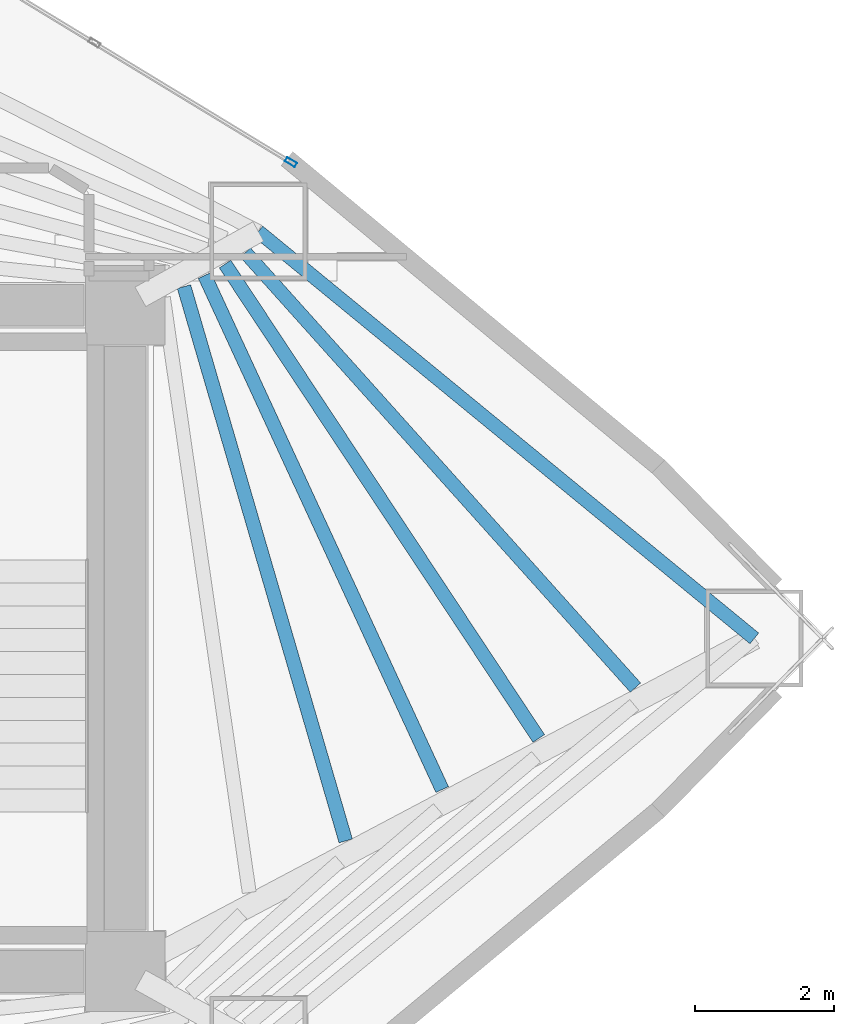
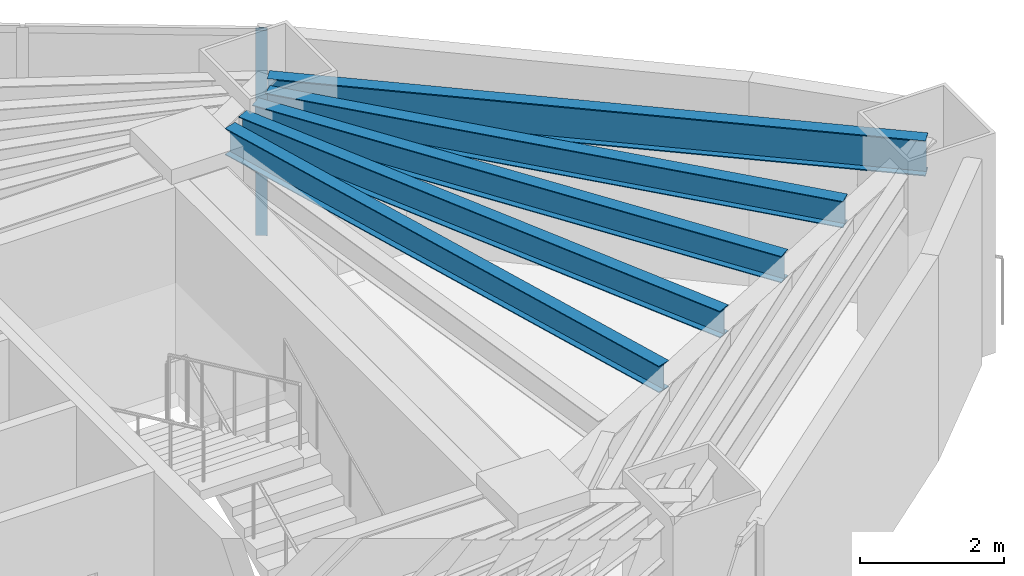
# One storey, part 11 of 17: 5 beams, 1 member, 1 element without a shape of its own.
"""IFC4 building model written with IfcOpenShell, lengths in metres."""

from ifc_helpers import new_model, si_unit, direction, frame, origin, origin_2d, place, context, subcontext, project, spatial, hollow_rectangle, i_section, extrude, material, layer, layer_set, material_profile, profile_set, type_object, element, aggregate, save


model = new_model("IFC4")

# Units and contexts
model_context = context("Model", 3, precision=1e-05, world=origin(), true_north=direction((0.0, 1.0)))
body_context = subcontext(model_context, "Body", "Model", "MODEL_VIEW")
ifc_project = project(units=[si_unit("LENGTHUNIT", "METRE"), si_unit("AREAUNIT", "SQUARE_METRE"), si_unit("VOLUMEUNIT", "CUBIC_METRE"), si_unit("PLANEANGLEUNIT", "RADIAN"), si_unit("MASSUNIT", "GRAM", prefix="KILO")], contexts=[model_context])

# Site, building, storey
site_placement = place(None, origin())
site = spatial("IfcSite", under=ifc_project, at=site_placement, CompositionType="ELEMENT")
building_placement = place(site_placement, origin())
building = spatial("IfcBuilding", under=site, at=building_placement, Name="Menara Vayukalpa", CompositionType="ELEMENT")
storey_placement = place(building_placement, frame((0.0, 0.0, 38.760009765625)))
storey = spatial("IfcBuildingStorey", under=building, at=storey_placement, Name="L08", CompositionType="ELEMENT", Elevation=38.760009765625)

# Beams
ifc_material_1 = material(Name="Steel S355", Category="steel")
ifc_material_profile_1 = material_profile(ifc_material_1, i_section(OverallWidth=0.199951171875, OverallDepth=0.449951171875, WebThickness=0.009033203125, FlangeThickness=0.013916015625, at=origin_2d()), Name="WF 450x200x9x14")
ifc_profile_set_1 = profile_set([ifc_material_profile_1], Name="Steel S355")
beam_type_1 = type_object("IfcBeamType", Name="BM-SJ1", PredefinedType="JOIST", material=ifc_profile_set_1)
beam_1_placement = place(storey_placement, frame((36.577392578125, 19.08203125, 3.244873046875), z_axis=(-0.280127331343, 0.959962852528, 0.0), x_axis=(-0.959962852528, -0.280127331343, 0.0)))
element("IfcBeam", 1, at=beam_1_placement, inside=storey, type_object=beam_type_1, Name="L08 Secondary Floor Joist SJ01-2", PredefinedType="JOIST", context=body_context, shape_type="SweptSolid", body=[
    extrude(i_section(OverallWidth=0.199951171875, OverallDepth=0.449951171875, WebThickness=0.009033203125, FlangeThickness=0.013916015625, at=origin_2d()), origin(), (0.0, 0.0, 1.0), 8.319580078125),
])
beam_2_placement = place(storey_placement, frame((37.96728515625, 19.822021484375, 3.244873046875), z_axis=(-0.419547647921, 0.907733314979, 0.0), x_axis=(-0.907733314979, -0.419547647921, 0.0)))
element("IfcBeam", 2, at=beam_2_placement, inside=storey, type_object=beam_type_1, Name="L08 Secondary Floor Joist SJ01-3", PredefinedType="JOIST", context=body_context, shape_type="SweptSolid", body=[
    extrude(i_section(OverallWidth=0.199951171875, OverallDepth=0.449951171875, WebThickness=0.009033203125, FlangeThickness=0.013916015625, at=origin_2d()), origin(), (0.0, 0.0, 1.0), 8.15966796875),
])
beam_3_placement = place(storey_placement, frame((39.358642578125, 20.557861328125, 3.244873046875), z_axis=(-0.551519467329, 0.834162020927, 0.0), x_axis=(-0.834162020927, -0.551519467329, 0.0)))
element("IfcBeam", 3, at=beam_3_placement, inside=storey, type_object=beam_type_1, Name="L08 Secondary Floor Joist SJ01-4", PredefinedType="JOIST", context=body_context, shape_type="SweptSolid", body=[
    extrude(i_section(OverallWidth=0.199951171875, OverallDepth=0.449951171875, WebThickness=0.009033203125, FlangeThickness=0.013916015625, at=origin_2d()), origin(), (0.0, 0.0, 1.0), 8.19384765625),
])
beam_4_placement = place(storey_placement, frame((40.752685546875, 21.291015625, 3.244873046875), z_axis=(-0.667563308959, 0.744553039435, 0.0), x_axis=(-0.744553039435, -0.667563308959, 0.0)))
element("IfcBeam", 4, at=beam_4_placement, inside=storey, type_object=beam_type_1, Name="L08 Secondary Floor Joist SJ01-5", PredefinedType="JOIST", context=body_context, shape_type="SweptSolid", body=[
    extrude(i_section(OverallWidth=0.199951171875, OverallDepth=0.449951171875, WebThickness=0.009033203125, FlangeThickness=0.013916015625, at=origin_2d()), origin(), (0.0, 0.0, 1.0), 8.419189453125),
])
ifc_material_2 = material(Name="Steel S355", Category="steel")
ifc_material_profile_2 = material_profile(ifc_material_2, i_section(OverallWidth=0.199951171875, OverallDepth=0.60009765625, WebThickness=0.010986328125, FlangeThickness=0.01708984375, at=origin_2d()), Name="WF 600x200x11x17")
ifc_profile_set_2 = profile_set([ifc_material_profile_2], Name="Steel S355")
beam_type_2 = type_object("IfcBeamType", Name="BM-SP1", PredefinedType="SPANDREL", material=ifc_profile_set_2)
beam_5_placement = place(storey_placement, frame((42.46484375, 22.0, 3.169921875), z_axis=(-0.773110561587, 0.63427128231, 0.0), x_axis=(-0.63427128231, -0.773110561587, 0.0)))
element("IfcBeam", 5, at=beam_5_placement, inside=storey, type_object=beam_type_2, Name="L08 Perimeter Spandrel Beam SP01", PredefinedType="SPANDREL", context=body_context, shape_type="SweptSolid", body=[
    extrude(i_section(OverallWidth=0.199951171875, OverallDepth=0.60009765625, WebThickness=0.010986328125, FlangeThickness=0.01708984375, at=origin_2d()), origin(), (0.0, 0.0, 1.0), 9.244140625),
])

# Curtain wall, member
ifc_material_3 = material(Name="Anodised Terracotta Aluminium Alloy 6063-T6", Category="masonry")
ifc_layer = layer(ifc_material_3, 0.1650390625)
ifc_layer_set = layer_set([ifc_layer], Name="Anodised Terracotta Aluminium Alloy 6063-T6")
curtain_wall_type = type_object("IfcCurtainWallType", Name="CW-CW2", PredefinedType="USERDEFINED", material=ifc_layer_set)
curtain_wall_placement = place(storey_placement, origin())
curtain_wall = element("IfcCurtainWall", 6, at=curtain_wall_placement, inside=storey, type_object=curtain_wall_type, Name="L08 Low Rise Terracotta Ribbon Curtain Wall CW2 04", ObjectType="UNITISED", PredefinedType="USERDEFINED")
ifc_material_4 = material(Name="Anodised Terracotta Aluminium Alloy 6063-T6", Category="masonry")
ifc_material_profile_3 = material_profile(ifc_material_4, hollow_rectangle(XDim=0.070068359375, YDim=0.1650390625, WallThickness=0.00390625, at=origin_2d()), Name="ALU 70x165x4")
ifc_profile_set_3 = profile_set([ifc_material_profile_3], Name="Anodised Terracotta Aluminium Alloy 6063-T6")
member_type = type_object("IfcMemberType", Name="CWM-CW2", PredefinedType="MULLION", material=ifc_profile_set_3)
member_placement = place(storey_placement, frame((35.787353515625, 28.861572265625, 0.0), z_axis=(0.0, 0.0, 1.0), x_axis=(-0.519181964377, -0.854663727945, 0.0)))
member = element("IfcMember", 7, at=member_placement, type_object=member_type, Name="CW2 mullion 1", PredefinedType="MULLION", context=body_context, shape_type="SweptSolid", body=[
    extrude(hollow_rectangle(XDim=0.070068359375, YDim=0.1650390625, WallThickness=0.00390625, at=origin_2d()), origin(), (0.0, 0.0, 1.0), 3.469970703125),
])
aggregate(curtain_wall, [member])

save(model, "model.ifc")
